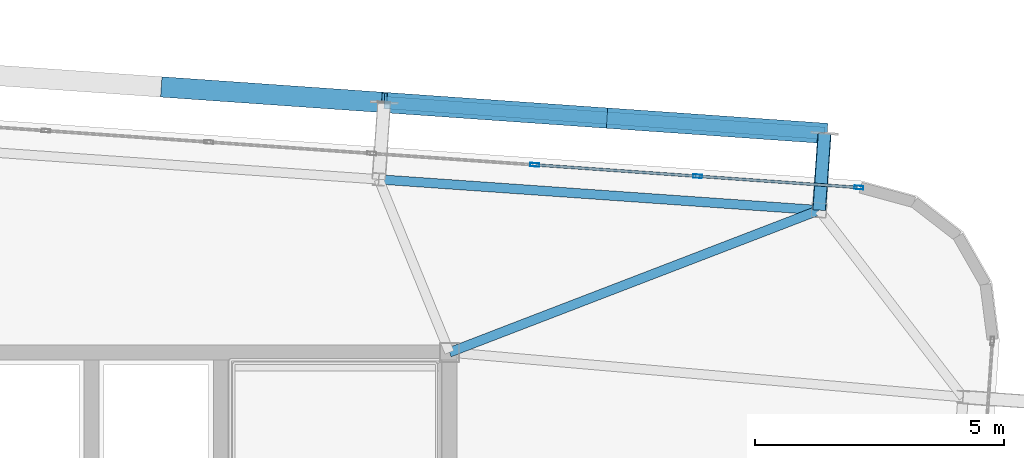
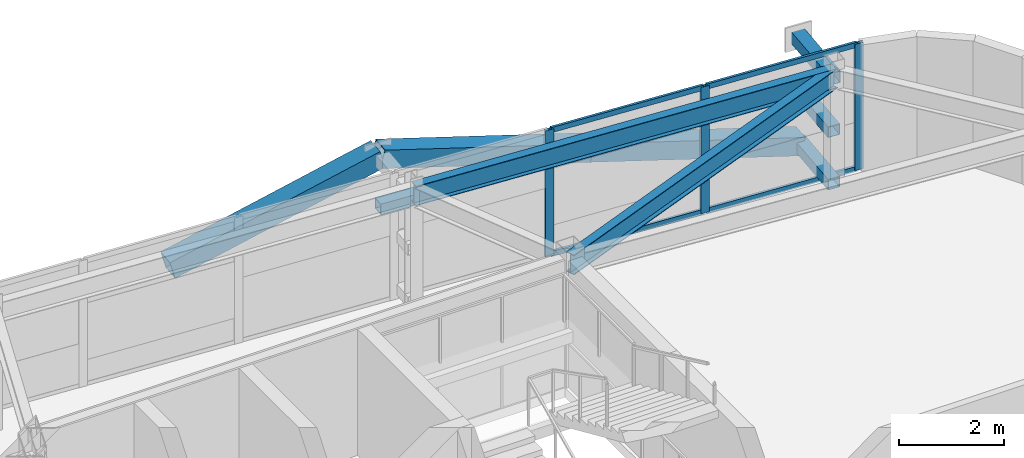
# One storey, part 30 of 47: 14 members, 2 beams, 1 element without a shape of its own.
"""IFC4 building model written with IfcOpenShell, lengths in metres."""

from ifc_helpers import new_model, si_unit, direction, frame, origin, origin_2d, place, context, subcontext, project, spatial, hollow_rectangle, i_section, extrude, source, transform, mapped, material, layer, layer_set, material_profile, profile_set, type_object, element, aggregate, save


model = new_model("IFC4")

# Units and contexts
model_context = context("Model", 3, precision=1e-05, world=origin(), true_north=direction((0.0, 1.0)))
body_context = subcontext(model_context, "Body", "Model", "MODEL_VIEW")
ifc_project = project(units=[si_unit("LENGTHUNIT", "METRE"), si_unit("AREAUNIT", "SQUARE_METRE"), si_unit("VOLUMEUNIT", "CUBIC_METRE"), si_unit("PLANEANGLEUNIT", "RADIAN"), si_unit("MASSUNIT", "GRAM", prefix="KILO")], contexts=[model_context])

# Site, building, storey
site_placement = place(None, origin())
site = spatial("IfcSite", under=ifc_project, at=site_placement, CompositionType="ELEMENT")
building_placement = place(site_placement, origin())
building = spatial("IfcBuilding", under=site, at=building_placement, Name="Taldren Reach Tower", CompositionType="ELEMENT")
storey_placement = place(building_placement, frame((0.0, 0.0, 142.449951171875)))
storey = spatial("IfcBuildingStorey", under=building, at=storey_placement, Name="L43", CompositionType="ELEMENT", Elevation=142.449951171875)

# Members
ifc_material_1 = material(Name="Steel Gr 450 (C450L0)", Category="steel")
ifc_material_profile_1 = material_profile(ifc_material_1, hollow_rectangle(XDim=0.27490234375, YDim=0.27490234375, WallThickness=0.00927734375, at=origin_2d()), Name="275x275x9.3SHS")
ifc_profile_set_1 = profile_set([ifc_material_profile_1], Name="Steel Gr 450 (C450L0)")
member_type_1 = type_object("IfcMemberType", Name="MB-TIE273", PredefinedType="STRUT", material=ifc_profile_set_1)
shared_shape_1 = source(origin(), body_context, "Body", "SweptSolid", [
    extrude(hollow_rectangle(XDim=0.27490234375, YDim=0.27490234375, WallThickness=0.00927734375, at=origin_2d()), origin(), (0.0, 0.0, 1.0), 1.5498046875),
])
member_1_placement = place(storey_placement, frame((58.4365234375, 34.861572265625, 2.650146484375), z_axis=(0.069780535098, 0.997562367434, 0.0), x_axis=(-0.997562367434, 0.069780535098, 0.0)))
element("IfcMember", 1, at=member_1_placement, inside=storey, type_object=member_type_1, Name="Exoskeleton diaphragm tie strut B3-N6 L43", PredefinedType="STRUT", context=body_context, shape_type="MappedRepresentation", body=[
    mapped(shared_shape_1, transform((0.0, 0.0, 0.0), scale=1.0)),
])
ifc_material_2 = material(Name="Steel Gr 350 (C350L0)", Category="steel")
ifc_material_profile_2 = material_profile(ifc_material_2, hollow_rectangle(XDim=0.25, YDim=0.25, WallThickness=0.010009765625, at=origin_2d()), Name="250x250x10.0SHS")
ifc_profile_set_2 = profile_set([ifc_material_profile_2], Name="Steel Gr 350 (C350L0)")
member_type_2 = type_object("IfcMemberType", Name="MB-POST250", PredefinedType="POST", material=ifc_profile_set_2)
shared_shape_2 = source(origin(), body_context, "Body", "SweptSolid", [
    extrude(hollow_rectangle(XDim=0.25, YDim=0.25, WallThickness=0.010009765625, at=origin_2d()), origin(), (0.0, 0.0, 1.0), 1.5498046875),
])
for number, where, z_axis, x_axis, name in (
    (2, (58.4365234375, 34.861572265625, 0.219970703125), (0.069780535098, 0.997562367434, 0.0), (-0.997562367434, 0.069780535098, 0.0), "Exoskeleton base diaphragm tie strut B3-N6 L43"),
    (3, (58.4365234375, 34.861572265625, 1.43505859375), (0.069780535098, 0.997562367434, 0.0), (-0.997562367434, 0.069780535098, 0.0), "Exoskeleton mid-tier diaphragm tie B3-N6 L43"),
):
    element("IfcMember", number, at=place(storey_placement, frame(where, z_axis=z_axis, x_axis=x_axis)), inside=storey, type_object=member_type_2, Name=name, PredefinedType="POST", context=body_context, shape_type="MappedRepresentation", body=[
        mapped(shared_shape_2, transform((0.0, 0.0, 0.0), scale=1.0)),
    ])

# Beams
ifc_material_3 = material(Name="Steel Gr 350 (350PLUS)", Category="steel")
ifc_material_profile_3 = material_profile(ifc_material_3, i_section(OverallWidth=0.18994140625, OverallDepth=0.4541015625, WebThickness=0.008544921875, FlangeThickness=0.0126953125, at=origin_2d()), Name="460UB67.1")
ifc_profile_set_3 = profile_set([ifc_material_profile_3], Name="Steel Gr 350 (350PLUS)")
beam_type_1 = type_object("IfcBeamType", Name="SP-UB460B", PredefinedType="SPANDREL", material=ifc_profile_set_3)
shared_shape_3 = source(origin(), body_context, "Body", "SweptSolid", [
    extrude(i_section(OverallWidth=0.18994140625, OverallDepth=0.4541015625, WebThickness=0.008544921875, FlangeThickness=0.0126953125, at=origin_2d()), origin(), (0.0, 0.0, 1.0), 8.880126953125),
])
beam_1_placement = place(storey_placement, frame((58.4365234375, 34.861572265625, 2.703125), z_axis=(-0.997564479639, 0.069750333063, 0.0), x_axis=(-0.069750333063, -0.997564479639, 0.0)))
element("IfcBeam", 4, at=beam_1_placement, inside=storey, type_object=beam_type_1, Name="Perimeter spandrel B3 N6-N5 L43", PredefinedType="SPANDREL", context=body_context, shape_type="MappedRepresentation", body=[
    mapped(shared_shape_3, transform((0.0, 0.0, 0.0), scale=1.0)),
])
ifc_material_profile_4 = material_profile(ifc_material_3, i_section(OverallWidth=0.19091796875, OverallDepth=0.4599609375, WebThickness=0.010009765625, FlangeThickness=0.01611328125, at=origin_2d()), Name="460UB82.1")
ifc_profile_set_4 = profile_set([ifc_material_profile_4], Name="Steel Gr 350 (350PLUS)")
beam_type_2 = type_object("IfcBeamType", Name="BM-UB460A", PredefinedType="BEAM", material=ifc_profile_set_4)
shared_shape_4 = source(origin(), body_context, "Body", "SweptSolid", [
    extrude(i_section(OverallWidth=0.19091796875, OverallDepth=0.4599609375, WebThickness=0.010009765625, FlangeThickness=0.01611328125, at=origin_2d()), origin(), (0.0, 0.0, 1.0), 7.968017578125),
])
beam_2_placement = place(storey_placement, frame((51.0, 32.0, 2.699951171875), z_axis=(0.933287947144, 0.359128956943, 0.0), x_axis=(-0.359128956943, 0.933287947144, 0.0)))
element("IfcBeam", 5, at=beam_2_placement, inside=storey, type_object=beam_type_2, Name="Primary floor girder B3-N6 L43", PredefinedType="BEAM", context=body_context, shape_type="MappedRepresentation", body=[
    mapped(shared_shape_4, transform((0.0, 0.0, 0.0), scale=1.0)),
])

# Members
shared_shape_5 = source(origin(), body_context, "Body", "SweptSolid", [
    extrude(hollow_rectangle(XDim=0.25, YDim=0.25, WallThickness=0.010009765625, at=origin_2d()), origin(), (0.0, 0.0, 1.0), 8.880126953125),
])
member_2_placement = place(storey_placement, frame((49.686279296875, 37.02734375, 1.43505859375), z_axis=(0.997562566276, -0.06977769246, 0.0), x_axis=(0.06977769246, 0.997562566276, 0.0)))
element("IfcMember", 6, at=member_2_placement, inside=storey, type_object=member_type_2, Name="Exoskeleton mid-height ring chord B3-N5 L43", PredefinedType="POST", context=body_context, shape_type="MappedRepresentation", body=[
    mapped(shared_shape_5, transform((0.0, 0.0, 0.0), scale=1.0)),
])
ifc_material_profile_5 = material_profile(ifc_material_1, hollow_rectangle(XDim=0.409912109375, YDim=0.409912109375, WallThickness=0.01611328125, at=origin_2d()), Name="410x410x16.0SHS")
ifc_profile_set_5 = profile_set([ifc_material_profile_5], Name="Steel Gr 450 (C450L0)")
member_type_3 = type_object("IfcMemberType", Name="MB-EXO406", PredefinedType="BRACE", material=ifc_profile_set_5)
shared_shape_6 = source(origin(), body_context, "Body", "SweptSolid", [
    extrude(hollow_rectangle(XDim=0.409912109375, YDim=0.409912109375, WallThickness=0.01611328125, at=origin_2d()), origin(), (0.0, 0.0, 1.0), 4.603271484375),
])
for number, where, z_axis, x_axis, name in (
    (7, (45.257080078125, 37.3369140625, 1.43505859375), (0.962185784239, -0.067250114343, 0.263962002434), (0.069722973508, 0.997566392259, 0.0), "Exoskeleton Diagrid Brace B3-N4 L43"),
    (8, (58.544677734375, 36.40771484375, 0.219970703125), (-0.962182351074, 0.067302910567, 0.263961060594), (-0.06977769246, -0.997562566276, 0.0), "Exoskeleton Diagrid Brace B3-N5 L43"),
    (9, (54.115478515625, 36.717529296875, 1.43505859375), (-0.962182351074, 0.067302910567, 0.263961060594), (-0.06977769246, -0.997562566276, 0.0), "Exoskeleton Diagrid Brace B3-N5 L43"),
):
    element("IfcMember", number, at=place(storey_placement, frame(where, z_axis=z_axis, x_axis=x_axis)), inside=storey, type_object=member_type_3, Name=name, PredefinedType="BRACE", context=body_context, shape_type="MappedRepresentation", body=[
        mapped(shared_shape_6, transform((0.0, 0.0, 0.0), scale=1.0)),
    ])

# Curtain wall, members
ifc_material_4 = material(Name="Aluminium and Low-E Glass Unitised System", Category="aluminium")
ifc_layer = layer(ifc_material_4, 0.159912109375)
ifc_layer_set = layer_set([ifc_layer], Name="Aluminium and Low-E Glass Unitised System")
curtain_wall_type = type_object("IfcCurtainWallType", Name="CW-SYS-4", PredefinedType="NOTDEFINED", material=ifc_layer_set)
curtain_wall_placement = place(storey_placement, origin())
curtain_wall = element("IfcCurtainWall", 10, at=curtain_wall_placement, inside=storey, type_object=curtain_wall_type, Name="Unitised curtain wall CW-L43-N", PredefinedType="NOTDEFINED")
ifc_material_5 = material(Name="Anodised Aluminium 6063-T6", Category="aluminium")
ifc_material_profile_6 = material_profile(ifc_material_5, hollow_rectangle(XDim=0.070068359375, YDim=0.179931640625, WallThickness=0.00390625, at=origin_2d()), Name="ALU-180x70x4RHS")
ifc_profile_set_6 = profile_set([ifc_material_profile_6], Name="Anodised Aluminium 6063-T6")
member_type_4 = type_object("IfcMemberType", Name="CW-MUL-180", PredefinedType="MULLION", material=ifc_profile_set_6)
shared_shape_7 = source(origin(), body_context, "Body", "SweptSolid", [
    extrude(hollow_rectangle(XDim=0.070068359375, YDim=0.179931640625, WallThickness=0.00390625, at=origin_2d()), origin(), (0.0, 0.0, 1.0), 2.929931640625),
])
member_3_placement = place(storey_placement, frame((59.235107421875, 35.31689453125, 0.0), z_axis=(0.0, 0.0, 1.0), x_axis=(-0.06975651593, -0.99756404731, 0.0)))
member_3 = element("IfcMember", 11, at=member_3_placement, type_object=member_type_4, Name="CW-4 mullion 1", PredefinedType="MULLION", context=body_context, shape_type="MappedRepresentation", body=[
    mapped(shared_shape_7, transform((0.0, 0.0, 0.0), scale=1.0)),
])
member_4_placement = place(storey_placement, frame((55.992431640625, 35.543701171875, 0.0), z_axis=(0.0, 0.0, 1.0), x_axis=(-0.06975651593, -0.99756404731, 0.0)))
member_4 = element("IfcMember", 12, at=member_4_placement, type_object=member_type_4, Name="CW-4 mullion 2", PredefinedType="MULLION", context=body_context, shape_type="MappedRepresentation", body=[
    mapped(shared_shape_7, transform((0.0, 0.0, 0.0), scale=1.0)),
])
member_5_placement = place(storey_placement, frame((52.714599609375, 35.77294921875, 0.0), z_axis=(0.0, 0.0, 1.0), x_axis=(-0.06975651593, -0.99756404731, 0.0)))
member_5 = element("IfcMember", 13, at=member_5_placement, type_object=member_type_4, Name="CW-4 mullion 3", PredefinedType="MULLION", context=body_context, shape_type="MappedRepresentation", body=[
    mapped(shared_shape_7, transform((0.0, 0.0, 0.0), scale=1.0)),
])
ifc_material_profile_7 = material_profile(ifc_material_5, hollow_rectangle(XDim=0.054931640625, YDim=0.1201171875, WallThickness=0.0029296875, at=origin_2d()), Name="ALU-120x55x3RHS")
ifc_profile_set_7 = profile_set([ifc_material_profile_7], Name="Anodised Aluminium 6063-T6")
member_type_5 = type_object("IfcMemberType", Name="CW-TRN-135", PredefinedType="USERDEFINED", material=ifc_profile_set_7)
shared_shape_8 = source(origin(), body_context, "Body", "SweptSolid", [
    extrude(hollow_rectangle(XDim=0.054931640625, YDim=0.1201171875, WallThickness=0.0029296875, at=origin_2d()), origin(), (0.0, 0.0, 1.0), 3.1806640625),
])
member_6_placement = place(storey_placement, frame((59.2001953125, 35.3193359375, 0.027587890625), z_axis=(-0.997562815426, 0.069774130442, 0.0), x_axis=(-0.069774130442, -0.997562815426, 0.0)))
member_6 = element("IfcMember", 14, at=member_6_placement, type_object=member_type_5, Name="CW-4 transom 1.1", ObjectType="TRANSOM", PredefinedType="USERDEFINED", context=body_context, shape_type="MappedRepresentation", body=[
    mapped(shared_shape_8, transform((0.0, 0.0, 0.0), scale=1.0)),
])
member_7_placement = place(storey_placement, frame((59.2001953125, 35.3193359375, 2.902587890625), z_axis=(-0.997562815426, 0.069774130442, 0.0), x_axis=(-0.069774130442, -0.997562815426, 0.0)))
member_7 = element("IfcMember", 15, at=member_7_placement, type_object=member_type_5, Name="CW-4 transom 1.2", ObjectType="TRANSOM", PredefinedType="USERDEFINED", context=body_context, shape_type="MappedRepresentation", body=[
    mapped(shared_shape_8, transform((0.0, 0.0, 0.0), scale=1.0)),
])
shared_shape_9 = source(origin(), body_context, "Body", "SweptSolid", [
    extrude(hollow_rectangle(XDim=0.054931640625, YDim=0.1201171875, WallThickness=0.0029296875, at=origin_2d()), origin(), (0.0, 0.0, 1.0), 3.2158203125),
])
member_8_placement = place(storey_placement, frame((55.95751953125, 35.546142578125, 0.027587890625), z_axis=(-0.997563195991, 0.069768689278, 0.0), x_axis=(-0.069768689278, -0.997563195991, 0.0)))
member_8 = element("IfcMember", 16, at=member_8_placement, type_object=member_type_5, Name="CW-4 transom 2.1", ObjectType="TRANSOM", PredefinedType="USERDEFINED", context=body_context, shape_type="MappedRepresentation", body=[
    mapped(shared_shape_9, transform((0.0, 0.0, 0.0), scale=1.0)),
])
member_9_placement = place(storey_placement, frame((55.95751953125, 35.546142578125, 2.902587890625), z_axis=(-0.997563195991, 0.069768689278, 0.0), x_axis=(-0.069768689278, -0.997563195991, 0.0)))
member_9 = element("IfcMember", 17, at=member_9_placement, type_object=member_type_5, Name="CW-4 transom 2.2", ObjectType="TRANSOM", PredefinedType="USERDEFINED", context=body_context, shape_type="MappedRepresentation", body=[
    mapped(shared_shape_9, transform((0.0, 0.0, 0.0), scale=1.0)),
])
aggregate(curtain_wall, [member_3, member_4, member_5, member_6, member_7, member_8, member_9])

save(model, "model.ifc")
